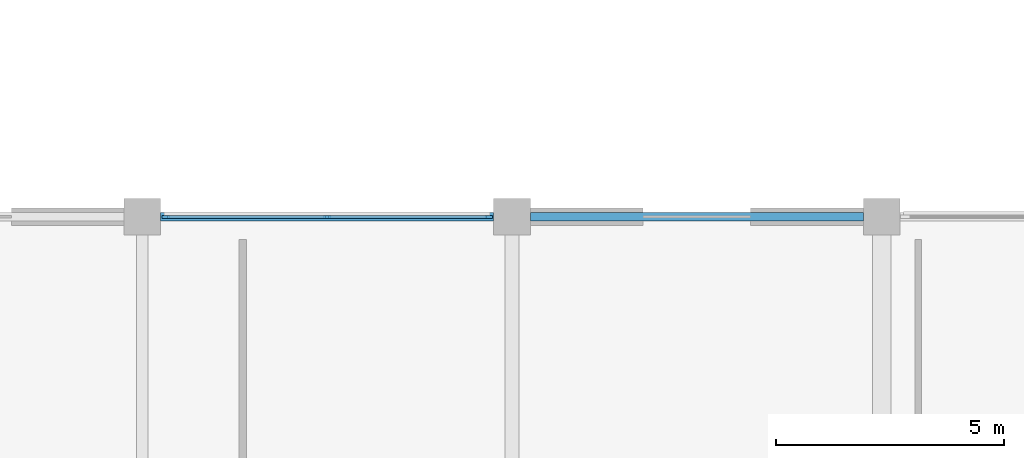
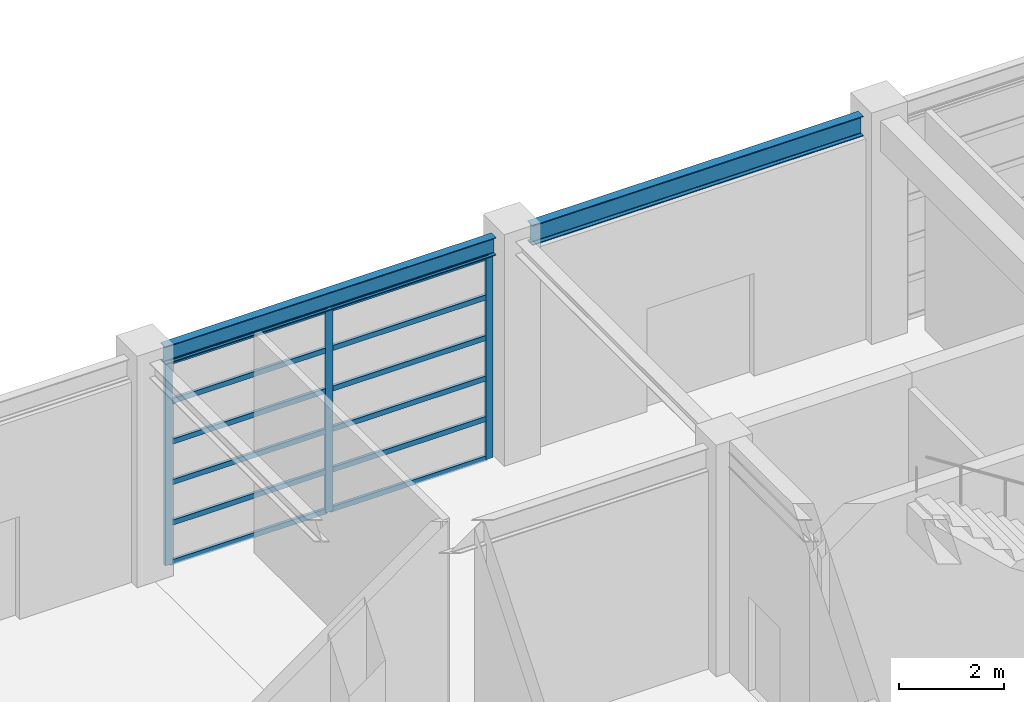
# One storey, part 19 of 52: 15 members, 2 beams, 1 element without a shape of its own.
"""IFC4 building model written with IfcOpenShell, lengths in metres."""

from ifc_helpers import new_model, si_unit, direction, frame, origin, origin_2d, place, context, subcontext, project, spatial, rectangle, i_section, extrude, material, material_profile, profile_set, type_object, element, aggregate, save


model = new_model("IFC4")

# Units and contexts
model_context = context("Model", 3, precision=1e-05, world=origin(), true_north=direction((0.0, 1.0)))
body_context = subcontext(model_context, "Body", "Model", "MODEL_VIEW")
ifc_project = project(units=[si_unit("LENGTHUNIT", "METRE"), si_unit("AREAUNIT", "SQUARE_METRE"), si_unit("VOLUMEUNIT", "CUBIC_METRE"), si_unit("PLANEANGLEUNIT", "RADIAN"), si_unit("MASSUNIT", "GRAM", prefix="KILO")], contexts=[model_context])

# Site, building, storey
site_placement = place(None, origin())
site = spatial("IfcSite", under=ifc_project, at=site_placement, CompositionType="ELEMENT")
building_placement = place(site_placement, origin())
building = spatial("IfcBuilding", under=site, at=building_placement, Name="Parian Resonance Hall", CompositionType="ELEMENT")
storey_placement = place(building_placement, origin())
storey = spatial("IfcBuildingStorey", under=building, at=storey_placement, Name="L00", CompositionType="ELEMENT", Elevation=0.0)

# Beams
ifc_material_1 = material(Name="Steel S355", Category="steel")
ifc_material_profile_1 = material_profile(ifc_material_1, i_section(OverallWidth=0.180908203125, OverallDepth=0.4169921875, WebThickness=0.010986328125, FlangeThickness=0.018310546875, FilletRadius=0.01513671875, at=origin_2d()), Name="W410x85")
ifc_profile_set_1 = profile_set([ifc_material_profile_1], Name="Steel S355")
beam_type_1 = type_object("IfcBeamType", Name="BM-W410x85", PredefinedType="SPANDREL", material=ifc_profile_set_1)
beam_1_placement = place(storey_placement, frame((49.0, 89.10009765625, 4.94140625), z_axis=(1.0, 0.0, 0.0), x_axis=(0.0, 1.0, 0.0)))
element("IfcBeam", 1, at=beam_1_placement, inside=storey, type_object=beam_type_1, Name="GX-L00-0300", PredefinedType="SPANDREL", context=body_context, shape_type="SweptSolid", body=[
    extrude(i_section(OverallWidth=0.180908203125, OverallDepth=0.4169921875, WebThickness=0.010986328125, FlangeThickness=0.018310546875, FilletRadius=0.01513671875, at=origin_2d()), origin(), (0.0, 0.0, 1.0), 7.300048828125),
])
ifc_material_2 = material(Name="Steel S355", Category="steel")
ifc_material_profile_2 = material_profile(ifc_material_2, i_section(OverallWidth=0.194091796875, OverallDepth=0.468994140625, WebThickness=0.0126953125, FlangeThickness=0.0205078125, FilletRadius=0.01513671875, at=origin_2d()), Name="W460x106")
ifc_profile_set_2 = profile_set([ifc_material_profile_2], Name="Steel S355")
beam_type_2 = type_object("IfcBeamType", Name="BM-W460x106", PredefinedType="SPANDREL", material=ifc_profile_set_2)
beam_2_placement = place(storey_placement, frame((57.10009765625, 89.10009765625, 4.91552734375), z_axis=(1.0, 0.0, 0.0), x_axis=(0.0, 1.0, 0.0)))
element("IfcBeam", 2, at=beam_2_placement, inside=storey, type_object=beam_type_2, Name="GX-L00-0303", PredefinedType="SPANDREL", context=body_context, shape_type="SweptSolid", body=[
    extrude(i_section(OverallWidth=0.194091796875, OverallDepth=0.468994140625, WebThickness=0.0126953125, FlangeThickness=0.0205078125, FilletRadius=0.01513671875, at=origin_2d()), origin(), (0.0, 0.0, 1.0), 7.2998046875),
])

# Curtain wall, members
ifc_material_3 = material(Name="Bronze-anodised aluminium frame", Category="aluminium")
curtain_wall_type = type_object("IfcCurtainWallType", Name="CW-SYS-01", PredefinedType="NOTDEFINED", material=ifc_material_3)
curtain_wall_placement = place(storey_placement, origin())
curtain_wall = element("IfcCurtainWall", 3, at=curtain_wall_placement, inside=storey, type_object=curtain_wall_type, Name="Curtain wall CW-L00-083", PredefinedType="NOTDEFINED")
ifc_material_4 = material(Name="Bronze-anodised aluminium frame", Category="aluminium")
ifc_material_profile_3 = material_profile(ifc_material_4, rectangle(XDim=0.06494140625, YDim=0.159912109375, at=origin_2d()), Name="CWM-65x160")
ifc_profile_set_3 = profile_set([ifc_material_profile_3], Name="Bronze-anodised aluminium frame")
member_type_1 = type_object("IfcMemberType", Name="CWM-65x160", PredefinedType="MULLION", material=ifc_profile_set_3)
member_1_placement = place(storey_placement, frame((49.112548828125, 89.10009765625, -0.008056640625), z_axis=(0.0, 0.0, 1.0), x_axis=(0.0, 1.0, 0.0)))
member_1 = element("IfcMember", 4, at=member_1_placement, type_object=member_type_1, Name="CW-01 mullion 1", PredefinedType="MULLION", context=body_context, shape_type="SweptSolid", body=[
    extrude(rectangle(XDim=0.06494140625, YDim=0.159912109375, at=origin_2d()), origin(), (0.0, 0.0, 1.0), 4.7451171875),
])
member_2_placement = place(storey_placement, frame((52.64990234375, 89.10009765625, -0.008056640625), z_axis=(0.0, 0.0, 1.0), x_axis=(0.0, 1.0, 0.0)))
member_2 = element("IfcMember", 5, at=member_2_placement, type_object=member_type_1, Name="CW-01 mullion 2", PredefinedType="MULLION", context=body_context, shape_type="SweptSolid", body=[
    extrude(rectangle(XDim=0.06494140625, YDim=0.159912109375, at=origin_2d()), origin(), (0.0, 0.0, 1.0), 4.7451171875),
])
member_3_placement = place(storey_placement, frame((56.1875, 89.10009765625, -0.008056640625), z_axis=(0.0, 0.0, 1.0), x_axis=(0.0, 1.0, 0.0)))
member_3 = element("IfcMember", 6, at=member_3_placement, type_object=member_type_1, Name="CW-01 mullion 3", PredefinedType="MULLION", context=body_context, shape_type="SweptSolid", body=[
    extrude(rectangle(XDim=0.06494140625, YDim=0.159912109375, at=origin_2d()), origin(), (0.0, 0.0, 1.0), 4.7451171875),
])
ifc_material_5 = material(Name="Bronze-anodised aluminium frame", Category="aluminium")
ifc_material_profile_4 = material_profile(ifc_material_5, rectangle(XDim=0.06494140625, YDim=0.1201171875, at=origin_2d()), Name="CWT-65x120")
ifc_profile_set_4 = profile_set([ifc_material_profile_4], Name="Bronze-anodised aluminium frame")
member_type_2 = type_object("IfcMemberType", Name="CWT-65x120", PredefinedType="USERDEFINED", material=ifc_profile_set_4)
member_4_placement = place(storey_placement, frame((49.14501953125, 89.10009765625, 0.0244140625), z_axis=(1.0, 0.0, 0.0), x_axis=(0.0, 1.0, 0.0)))
member_4 = element("IfcMember", 7, at=member_4_placement, type_object=member_type_2, Name="CW-01 transom 1.1", ObjectType="TRANSOM", PredefinedType="USERDEFINED", context=body_context, shape_type="SweptSolid", body=[
    extrude(rectangle(XDim=0.06494140625, YDim=0.1201171875, at=origin_2d()), origin(), (0.0, 0.0, 1.0), 3.472412109375),
])
member_5_placement = place(storey_placement, frame((49.14501953125, 89.10009765625, 0.9453125), z_axis=(1.0, 0.0, 0.0), x_axis=(0.0, 1.0, 0.0)))
member_5 = element("IfcMember", 8, at=member_5_placement, type_object=member_type_2, Name="CW-01 transom 1.2", ObjectType="TRANSOM", PredefinedType="USERDEFINED", context=body_context, shape_type="SweptSolid", body=[
    extrude(rectangle(XDim=0.06494140625, YDim=0.1201171875, at=origin_2d()), origin(), (0.0, 0.0, 1.0), 3.472412109375),
])
member_6_placement = place(storey_placement, frame((49.14501953125, 89.10009765625, 1.890869140625), z_axis=(1.0, 0.0, 0.0), x_axis=(0.0, 1.0, 0.0)))
member_6 = element("IfcMember", 9, at=member_6_placement, type_object=member_type_2, Name="CW-01 transom 1.3", ObjectType="TRANSOM", PredefinedType="USERDEFINED", context=body_context, shape_type="SweptSolid", body=[
    extrude(rectangle(XDim=0.06494140625, YDim=0.1201171875, at=origin_2d()), origin(), (0.0, 0.0, 1.0), 3.472412109375),
])
member_7_placement = place(storey_placement, frame((49.14501953125, 89.10009765625, 2.836181640625), z_axis=(1.0, 0.0, 0.0), x_axis=(0.0, 1.0, 0.0)))
member_7 = element("IfcMember", 10, at=member_7_placement, type_object=member_type_2, Name="CW-01 transom 1.4", ObjectType="TRANSOM", PredefinedType="USERDEFINED", context=body_context, shape_type="SweptSolid", body=[
    extrude(rectangle(XDim=0.06494140625, YDim=0.1201171875, at=origin_2d()), origin(), (0.0, 0.0, 1.0), 3.472412109375),
])
member_8_placement = place(storey_placement, frame((49.14501953125, 89.10009765625, 3.781494140625), z_axis=(1.0, 0.0, 0.0), x_axis=(0.0, 1.0, 0.0)))
member_8 = element("IfcMember", 11, at=member_8_placement, type_object=member_type_2, Name="CW-01 transom 1.5", ObjectType="TRANSOM", PredefinedType="USERDEFINED", context=body_context, shape_type="SweptSolid", body=[
    extrude(rectangle(XDim=0.06494140625, YDim=0.1201171875, at=origin_2d()), origin(), (0.0, 0.0, 1.0), 3.472412109375),
])
member_9_placement = place(storey_placement, frame((49.14501953125, 89.10009765625, 4.70458984375), z_axis=(1.0, 0.0, 0.0), x_axis=(0.0, 1.0, 0.0)))
member_9 = element("IfcMember", 12, at=member_9_placement, type_object=member_type_2, Name="CW-01 transom 1.6", ObjectType="TRANSOM", PredefinedType="USERDEFINED", context=body_context, shape_type="SweptSolid", body=[
    extrude(rectangle(XDim=0.06494140625, YDim=0.1201171875, at=origin_2d()), origin(), (0.0, 0.0, 1.0), 3.472412109375),
])
member_10_placement = place(storey_placement, frame((52.6826171875, 89.10009765625, 0.0244140625), z_axis=(1.0, 0.0, 0.0), x_axis=(0.0, 1.0, 0.0)))
member_10 = element("IfcMember", 13, at=member_10_placement, type_object=member_type_2, Name="CW-01 transom 2.1", ObjectType="TRANSOM", PredefinedType="USERDEFINED", context=body_context, shape_type="SweptSolid", body=[
    extrude(rectangle(XDim=0.06494140625, YDim=0.1201171875, at=origin_2d()), origin(), (0.0, 0.0, 1.0), 3.472412109375),
])
member_11_placement = place(storey_placement, frame((52.6826171875, 89.10009765625, 0.9453125), z_axis=(1.0, 0.0, 0.0), x_axis=(0.0, 1.0, 0.0)))
member_11 = element("IfcMember", 14, at=member_11_placement, type_object=member_type_2, Name="CW-01 transom 2.2", ObjectType="TRANSOM", PredefinedType="USERDEFINED", context=body_context, shape_type="SweptSolid", body=[
    extrude(rectangle(XDim=0.06494140625, YDim=0.1201171875, at=origin_2d()), origin(), (0.0, 0.0, 1.0), 3.472412109375),
])
member_12_placement = place(storey_placement, frame((52.6826171875, 89.10009765625, 1.890869140625), z_axis=(1.0, 0.0, 0.0), x_axis=(0.0, 1.0, 0.0)))
member_12 = element("IfcMember", 15, at=member_12_placement, type_object=member_type_2, Name="CW-01 transom 2.3", ObjectType="TRANSOM", PredefinedType="USERDEFINED", context=body_context, shape_type="SweptSolid", body=[
    extrude(rectangle(XDim=0.06494140625, YDim=0.1201171875, at=origin_2d()), origin(), (0.0, 0.0, 1.0), 3.472412109375),
])
member_13_placement = place(storey_placement, frame((52.6826171875, 89.10009765625, 2.836181640625), z_axis=(1.0, 0.0, 0.0), x_axis=(0.0, 1.0, 0.0)))
member_13 = element("IfcMember", 16, at=member_13_placement, type_object=member_type_2, Name="CW-01 transom 2.4", ObjectType="TRANSOM", PredefinedType="USERDEFINED", context=body_context, shape_type="SweptSolid", body=[
    extrude(rectangle(XDim=0.06494140625, YDim=0.1201171875, at=origin_2d()), origin(), (0.0, 0.0, 1.0), 3.472412109375),
])
member_14_placement = place(storey_placement, frame((52.6826171875, 89.10009765625, 3.781494140625), z_axis=(1.0, 0.0, 0.0), x_axis=(0.0, 1.0, 0.0)))
member_14 = element("IfcMember", 17, at=member_14_placement, type_object=member_type_2, Name="CW-01 transom 2.5", ObjectType="TRANSOM", PredefinedType="USERDEFINED", context=body_context, shape_type="SweptSolid", body=[
    extrude(rectangle(XDim=0.06494140625, YDim=0.1201171875, at=origin_2d()), origin(), (0.0, 0.0, 1.0), 3.472412109375),
])
member_15_placement = place(storey_placement, frame((52.6826171875, 89.10009765625, 4.70458984375), z_axis=(1.0, 0.0, 0.0), x_axis=(0.0, 1.0, 0.0)))
member_15 = element("IfcMember", 18, at=member_15_placement, type_object=member_type_2, Name="CW-01 transom 2.6", ObjectType="TRANSOM", PredefinedType="USERDEFINED", context=body_context, shape_type="SweptSolid", body=[
    extrude(rectangle(XDim=0.06494140625, YDim=0.1201171875, at=origin_2d()), origin(), (0.0, 0.0, 1.0), 3.472412109375),
])
aggregate(curtain_wall, [member_1, member_2, member_3, member_4, member_5, member_6, member_7, member_8, member_9, member_10, member_11, member_12, member_13, member_14, member_15])

save(model, "model.ifc")
